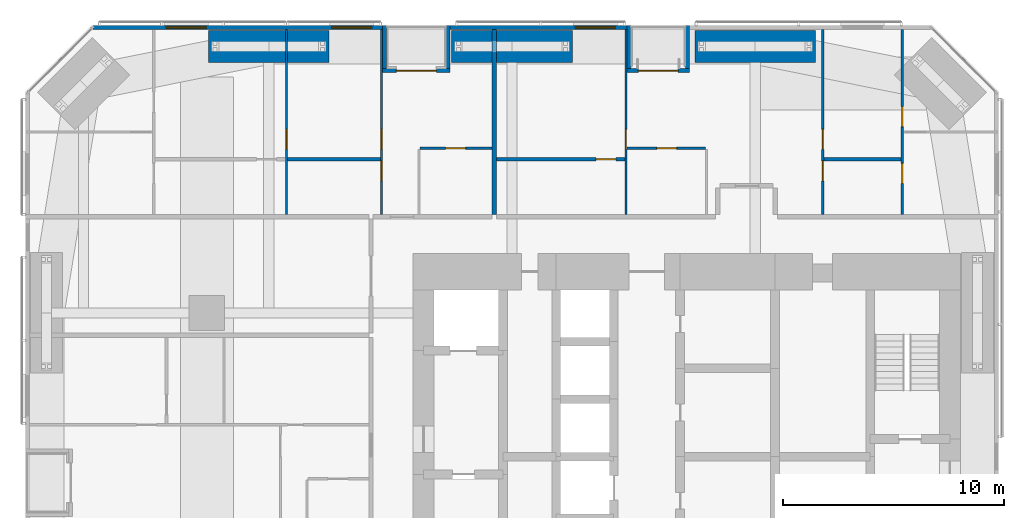
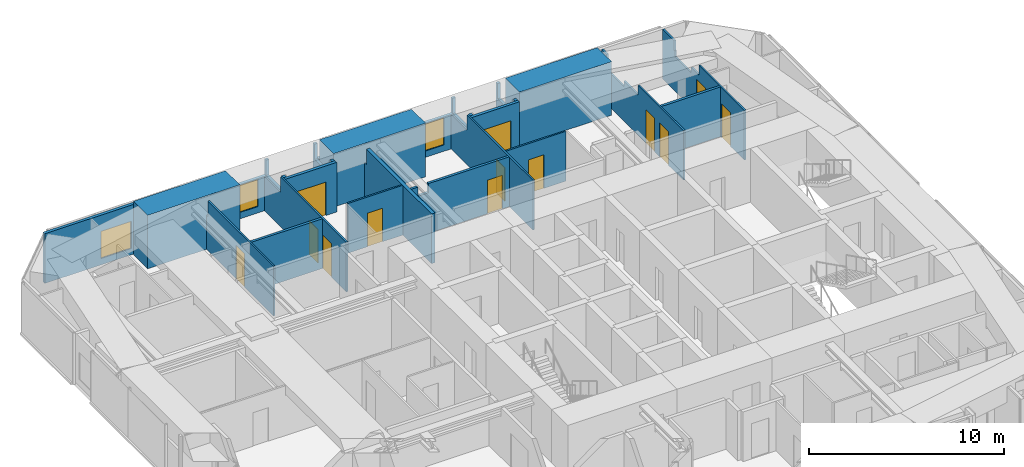
# One storey, part 21 of 23: 22 walls, 13 doors, 3 windows, 16 openings.
"""IFC4 building model written with IfcOpenShell, lengths in metres."""

import ifcopenshell
import ifcopenshell.guid

model = None  # the IFC model being written
_history = None  # IfcOwnerHistory: only IFC2X3 demands one
_inside = {}  # id of a spatial element -> (the spatial element, [elements in it])
_under = {}  # id of a project, library or spatial element -> (it, [spatial elements below it])
_declared = {}  # id of a project -> (the project, [libraries it declares])
_typed = {}  # id of a type object -> (the type object, [elements of that type])
_made_of = {}  # id of a material, layer set ... -> (it, [elements and type objects made of it])


def new_model(schema):
    """Start an empty IFC model of exactly this schema.

    Asked for "IFC4X3", IfcOpenShell would pick the latest addendum, in which some entities
    have other attributes; the version numbers below select the first issue.
    IFC2X3 requires an IfcOwnerHistory on every rooted entity: one is made here for all.
    """
    global model, _history
    if schema == "IFC4X3":
        model = ifcopenshell.file(schema_version=(4, 3, 0, 0))
    else:
        model = ifcopenshell.file(schema=schema)
    _inside.clear()
    _under.clear()
    _declared.clear()
    _typed.clear()
    _made_of.clear()
    _history = None
    if model.schema == "IFC2X3":
        org = make("IfcOrganization", Name="unknown")
        user = make(
            "IfcPersonAndOrganization",
            ThePerson=make("IfcPerson", FamilyName="unknown"),
            TheOrganization=org,
        )
        app = make(
            "IfcApplication",
            ApplicationDeveloper=org,
            Version="unknown",
            ApplicationFullName="unknown",
            ApplicationIdentifier="unknown",
        )
        _history = make(
            "IfcOwnerHistory",
            OwningUser=user,
            OwningApplication=app,
            ChangeAction="ADDED",
            CreationDate=0,
        )
    return model


def make(cls, **values):
    """One entity of the class cls with the attributes given. An attribute that is None is left unset."""
    return model.create_entity(
        cls, **{name: value for name, value in values.items() if value is not None}
    )


def rooted(cls, **values):
    """An entity with a GlobalId (a new one), such as an element, a storey or a relation."""
    return make(cls, GlobalId=ifcopenshell.guid.new(), OwnerHistory=_history, **values)


def si_unit(unit_type, name, prefix=None):
    """IfcSIUnit, for example si_unit("LENGTHUNIT", "METRE", prefix="MILLI")."""
    return make("IfcSIUnit", UnitType=unit_type, Prefix=prefix, Name=name)


def assignment(units):
    """IfcUnitAssignment: the units of a project."""
    return None if units is None else make("IfcUnitAssignment", Units=units)


def point(xyz):
    """IfcCartesianPoint."""
    return None if xyz is None else make("IfcCartesianPoint", Coordinates=xyz)


def direction(xyz):
    """IfcDirection."""
    return None if xyz is None else make("IfcDirection", DirectionRatios=xyz)


def frame(location, z_axis=None, x_axis=None):
    """IfcAxis2Placement3D, a coordinate frame: its origin and axes. An axis left out is left unset."""
    return make(
        "IfcAxis2Placement3D",
        Location=point(location),
        Axis=direction(z_axis),
        RefDirection=direction(x_axis),
    )


def frame_2d(location, x_axis=None):
    """IfcAxis2Placement2D, a coordinate frame in the plane: its origin and x axis."""
    return make(
        "IfcAxis2Placement2D", Location=point(location), RefDirection=direction(x_axis)
    )


def origin():
    """The frame at (0, 0, 0) with its axes left unset."""
    return frame((0.0, 0.0, 0.0))


def place(relative_to, where):
    """IfcLocalPlacement: puts the frame where relative to a parent placement (None: the world)."""
    return make(
        "IfcLocalPlacement", PlacementRelTo=relative_to, RelativePlacement=where
    )


def context(
    kind, dimensions, precision=None, world=None, true_north=None, identifier=None
):
    """IfcGeometricRepresentationContext, for example the 3D "Model" context."""
    return make(
        "IfcGeometricRepresentationContext",
        ContextIdentifier=identifier,
        ContextType=kind,
        CoordinateSpaceDimension=dimensions,
        Precision=precision,
        WorldCoordinateSystem=world,
        TrueNorth=true_north,
    )


def subcontext(parent, identifier, kind, view, scale=None):
    """IfcGeometricRepresentationSubContext, for example "Body" below "Model"."""
    return make(
        "IfcGeometricRepresentationSubContext",
        ContextIdentifier=identifier,
        ContextType=kind,
        ParentContext=parent,
        TargetScale=scale,
        TargetView=view,
    )


def project(units=None, contexts=None):
    """IfcProject with its units and contexts."""
    return rooted(
        "IfcProject",
        Name="project",
        RepresentationContexts=contexts,
        UnitsInContext=assignment(units),
    )


def spatial(cls, under=None, at=None, **own):
    """A site, building, storey or space (cls), placed at a placement, below another one or the project."""
    s = rooted(cls, ObjectPlacement=at, **own)
    if under is not None:
        _under.setdefault(under.id(), (under, []))[1].append(s)
    return s


def polyline(points):
    """IfcPolyline through the points."""
    return make("IfcPolyline", Points=[point(p) for p in points])


def profile(cls, at=None, kind="AREA", **sizes):
    """A parametric profile (cls). Its sizes go by their IFC names, for example OverallWidth=200.0."""
    return make(cls, ProfileType=kind, Position=at, **sizes)


def rectangle(**sizes):
    """IfcRectangleProfileDef."""
    return profile("IfcRectangleProfileDef", **sizes)


def outline(outer, holes=None, kind="AREA"):
    """IfcArbitraryClosedProfileDef: a profile drawn as a closed curve; with holes, ...WithVoids."""
    if holes is None:
        return make("IfcArbitraryClosedProfileDef", ProfileType=kind, OuterCurve=outer)
    return make(
        "IfcArbitraryProfileDefWithVoids",
        ProfileType=kind,
        OuterCurve=outer,
        InnerCurves=holes,
    )


def extrude(swept, where, along, depth):
    """IfcExtrudedAreaSolid: the profile swept, set in the frame where, extruded along a direction by depth."""
    return make(
        "IfcExtrudedAreaSolid",
        SweptArea=swept,
        Position=where,
        ExtrudedDirection=direction(along),
        Depth=depth,
    )


def shape(context_of_items, identifier, shape_type, items):
    """IfcShapeRepresentation: the items that make up one representation, for example the "Body"."""
    return make(
        "IfcShapeRepresentation",
        ContextOfItems=context_of_items,
        RepresentationIdentifier=identifier,
        RepresentationType=shape_type,
        Items=items,
    )


def material(Name=None, Category=None):
    """IfcMaterial."""
    return make("IfcMaterial", Name=Name, Category=Category)


def layer(
    of_material, thickness, ventilated=None, Name=None, Category=None, Priority=None
):
    """IfcMaterialLayer: one layer of a wall or slab, of a material (None: an air gap)."""
    return make(
        "IfcMaterialLayer",
        Material=of_material,
        LayerThickness=thickness,
        IsVentilated=ventilated,
        Name=Name,
        Category=Category,
        Priority=Priority,
    )


def layer_set(layers, Name=None):
    """IfcMaterialLayerSet."""
    return make("IfcMaterialLayerSet", MaterialLayers=layers, LayerSetName=Name)


def constituent(of_material, Name=None, Category=None, fraction=None):
    """IfcMaterialConstituent: one of the materials an element consists of."""
    return make(
        "IfcMaterialConstituent",
        Name=Name,
        Material=of_material,
        Fraction=fraction,
        Category=Category,
    )


def constituent_set(constituents=None, Name=None):
    """IfcMaterialConstituentSet."""
    return make(
        "IfcMaterialConstituentSet", Name=Name, MaterialConstituents=constituents
    )


def made_of(thing, what):
    """Note that an element or type object is made of a material, layer set ...; save() writes the relation."""
    if what is not None:
        _made_of.setdefault(what.id(), (what, []))[1].append(thing)
    return thing


def type_object(cls, material=None, **own):
    """A type object (cls), such as IfcWallType, which elements share."""
    return made_of(rooted(cls, **own), material)


def element(
    cls,
    number,
    at=None,
    inside=None,
    cuts=None,
    type_object=None,
    material=None,
    context=None,
    identifier="Body",
    shape_type=None,
    held_by="IfcProductDefinitionShape",
    body=None,
    shapes=None,
    **own,
):
    """One element of the class cls, such as IfcWall. Its Tag is "e" and its number.

    at: its placement. inside: the storey or other place that contains it. cuts: it is an
    opening in that element (IfcRelVoidsElement). A single representation is given by context,
    identifier, shape_type and body (its items); several are given by shapes. held_by: the class
    of the entity that holds the representations. save() writes the other relations.
    """
    e = rooted(cls, Tag="e%d" % number, ObjectPlacement=at, **own)
    if body is not None:
        shapes = [shape(context, identifier, shape_type, body)]
    if shapes is not None:
        e.Representation = make(held_by, Representations=shapes)
    if inside is not None:
        _inside.setdefault(inside.id(), (inside, []))[1].append(e)
    if cuts is not None:
        rooted(
            "IfcRelVoidsElement", RelatingBuildingElement=cuts, RelatedOpeningElement=e
        )
    if type_object is not None:
        _typed.setdefault(type_object.id(), (type_object, []))[1].append(e)
    return made_of(e, material)


def fill(opening, filler):
    """IfcRelFillsElement: the door or window that sits in an opening."""
    return rooted(
        "IfcRelFillsElement",
        RelatingOpeningElement=opening,
        RelatedBuildingElement=filler,
    )


def aggregate(whole, parts):
    """IfcRelAggregates: a whole, such as a stair, and the parts it consists of."""
    return rooted("IfcRelAggregates", RelatingObject=whole, RelatedObjects=parts)


def save(model, path):
    """Write the relations noted so far, then the file.

    IfcRelAggregates (storeys below a building ...), IfcRelContainedInSpatialStructure (elements
    in a storey), IfcRelDefinesByType, IfcRelAssociatesMaterial and IfcRelDeclares: one each for
    every whole, place, type object, material and project.
    """
    for whole, parts in _under.values():
        aggregate(whole, parts)
    for where, things in _inside.values():
        rooted(
            "IfcRelContainedInSpatialStructure",
            RelatedElements=things,
            RelatingStructure=where,
        )
    for kind, things in _typed.values():
        rooted("IfcRelDefinesByType", RelatedObjects=things, RelatingType=kind)
    for what, things in _made_of.values():
        rooted("IfcRelAssociatesMaterial", RelatedObjects=things, RelatingMaterial=what)
    for by, libraries in _declared.values():
        rooted("IfcRelDeclares", RelatingContext=by, RelatedDefinitions=libraries)
    model.write(path)


model = new_model("IFC4")

# Units and contexts
model_context = context("Model", 3, precision=1e-05, world=origin(), true_north=direction((0.0, 1.0)))
body_context = subcontext(model_context, "Body", "Model", "MODEL_VIEW")
ifc_project = project(units=[si_unit("LENGTHUNIT", "METRE"), si_unit("AREAUNIT", "SQUARE_METRE"), si_unit("VOLUMEUNIT", "CUBIC_METRE"), si_unit("PLANEANGLEUNIT", "RADIAN"), si_unit("MASSUNIT", "GRAM", prefix="KILO")], contexts=[model_context])

# Site, building, storey
site_placement = place(None, origin())
site = spatial("IfcSite", under=ifc_project, at=site_placement, CompositionType="ELEMENT")
building_placement = place(site_placement, origin())
building = spatial("IfcBuilding", under=site, at=building_placement, Name="Jalousie Tower", CompositionType="ELEMENT")
storey_placement = place(building_placement, frame((0.0, 0.0, 41.10009765625)))
storey = spatial("IfcBuildingStorey", under=building, at=storey_placement, Name="L10", CompositionType="ELEMENT", Elevation=41.10009765625)

# Wall
ifc_material_1 = material(Name="Concrete block ASTM C90", Category="concrete")
ifc_constituent_1 = constituent(ifc_material_1, Name="Body")
ifc_material_2 = material(Name="Render")
ifc_constituent_2 = constituent(ifc_material_2, Name="Finish")
ifc_constituent_set_1 = constituent_set(constituents=[ifc_constituent_1, ifc_constituent_2])
wall_type_1 = type_object("IfcWallType", Name="BATHROOM WALL 150", PredefinedType="PLUMBINGWALL", material=ifc_constituent_set_1)
wall_1_placement = place(storey_placement, frame((13.85009765625, 31.949951171875, 0.0), z_axis=(0.0, 0.0, 1.0), x_axis=(1.0, 0.0, 0.0)))
element("IfcWall", 1, at=wall_1_placement, inside=storey, type_object=wall_type_1, Name="Bathroom Wall 150 L10", PredefinedType="PLUMBINGWALL", context=body_context, shape_type="SweptSolid", body=[
    extrude(rectangle(XDim=4.199951171875, YDim=0.14990234375, at=frame_2d((2.10009765625, 0.0))), origin(), (0.0, 0.0, 1.0), 3.10986328125),
])

# Wall, opening, door
wall_2_placement = place(storey_placement, frame((23.300048828125, 31.949951171875, 0.0), z_axis=(0.0, 0.0, 1.0), x_axis=(1.0, 0.0, 0.0)))
wall_2 = element("IfcWall", 2, at=wall_2_placement, inside=storey, type_object=wall_type_1, Name="Bathroom Wall 150 L10", PredefinedType="PLUMBINGWALL", context=body_context, shape_type="SweptSolid", body=[
    extrude(outline(polyline([(0.0, 0.0), (5.800048828125, 0.0), (5.800048828125, 3.10986328125), (1.012451171875, 3.10986328125), (1.012451171875, 2.541015625), (0.3876953125, 2.541015625), (0.3876953125, 3.10986328125), (0.0, 3.10986328125), (0.0, 0.0)])), frame((0.0, 0.074951171875, 0.0), z_axis=(0.0, -1.0, 0.0), x_axis=(1.0, 0.0, 0.0)), (0.0, 0.0, 1.0), 0.14990234375),
])
opening_1_placement = place(wall_2_placement, frame((4.5, 0.0, 0.0)))
opening_1 = element("IfcOpeningElement", 3, at=opening_1_placement, cuts=wall_2, Name="Opening D3", PredefinedType="OPENING", context=body_context, shape_type="SweptSolid", body=[
    extrude(rectangle(XDim=0.89990234375, YDim=2.10009765625, at=frame_2d((0.449951171875, 1.050048828125))), frame((0.0, 0.0849609375, 0.0), z_axis=(0.0, -1.0, 0.0), x_axis=(1.0, 0.0, 0.0)), (0.0, 0.0, 1.0), 0.169921875),
])
ifc_material_3 = material(Name="Timber door", Category="wood")
door_type_1 = type_object("IfcDoorType", Name="BATHROOM DOOR 900", OperationType="SINGLE_SWING_LEFT", PredefinedType="DOOR", material=ifc_material_3)
door_1_placement = place(opening_1_placement, frame((0.89990234375, 0.0, 0.0), z_axis=(0.0, 0.0, 1.0), x_axis=(-1.0, 0.0, 0.0)))
door_1 = element("IfcDoor", 4, at=door_1_placement, inside=storey, type_object=door_type_1, Name="Apartment 1005 bedroom 1 bathroom door", OperationType="SINGLE_SWING_LEFT", OverallHeight=2.10009765625, OverallWidth=0.89990234375, PredefinedType="DOOR", context=body_context, shape_type="SweptSolid", body=[
    extrude(rectangle(XDim=0.89990234375, YDim=2.10009765625, at=frame_2d((0.449951171875, 1.050048828125))), frame((0.0, 0.02490234375, 0.0), z_axis=(0.0, -1.0, 0.0), x_axis=(1.0, 0.0, 0.0)), (0.0, 0.0, 1.0), 0.050048828125),
])
fill(opening_1, door_1)

# Wall
wall_3_placement = place(storey_placement, frame((38.10009765625, 31.949951171875, 0.0), z_axis=(0.0, 0.0, 1.0), x_axis=(1.0, 0.0, 0.0)))
element("IfcWall", 5, at=wall_3_placement, inside=storey, type_object=wall_type_1, Name="Bathroom Wall 150 L10", PredefinedType="PLUMBINGWALL", context=body_context, shape_type="SweptSolid", body=[
    extrude(rectangle(XDim=3.5, YDim=0.14990234375, at=frame_2d((1.75, 0.0))), origin(), (0.0, 0.0, 1.0), 3.10986328125),
])

# Wall, opening, window
ifc_material_4 = material(Name="Concrete f'c 40 MPa", Category="concrete")
ifc_constituent_3 = constituent(ifc_material_4, Name="Body")
ifc_material_5 = material(Name="Render, pastel coral")
ifc_constituent_4 = constituent(ifc_material_5, Name="Finish")
ifc_constituent_set_2 = constituent_set(constituents=[ifc_constituent_3, ifc_constituent_4])
wall_type_2 = type_object("IfcWallType", Name="EXTERNAL WALL 175 CORAL RENDER", PredefinedType="SOLIDWALL", material=ifc_constituent_set_2)
wall_4_placement = place(storey_placement, frame((29.199951171875, 37.91259765625, 0.0), z_axis=(0.0, 0.0, 1.0), x_axis=(-1.0, 0.0, 0.0)))
wall_4 = element("IfcWall", 6, at=wall_4_placement, inside=storey, type_object=wall_type_2, Name="External Wall 175 Coral Render L10", PredefinedType="SOLIDWALL", context=body_context, shape_type="SweptSolid", body=[
    extrude(rectangle(XDim=8.0, YDim=0.175048828125, at=frame_2d((4.0, 0.0))), origin(), (0.0, 0.0, 1.0), 2.14990234375),
])
opening_2_placement = place(wall_4_placement, frame((0.53369140625, 0.0, 0.39990234375)))
opening_2 = element("IfcOpeningElement", 7, at=opening_2_placement, cuts=wall_4, Name="Opening W-BED170", PredefinedType="OPENING", context=body_context, shape_type="SweptSolid", body=[
    extrude(rectangle(XDim=1.800048828125, YDim=1.699951171875, at=frame_2d((0.89990234375, 0.85009765625))), frame((0.0, 0.097412109375, 0.0), z_axis=(0.0, -1.0, 0.0), x_axis=(1.0, 0.0, 0.0)), (0.0, 0.0, 1.0), 0.195068359375),
])
ifc_material_6 = material(Name="Aluminium frame, impact-rated glazing", Category="aluminium")
window_type = type_object("IfcWindowType", Name="WINDOW BED 1800x1700", PartitioningType="SINGLE_PANEL", PredefinedType="WINDOW", material=ifc_material_6)
window_1_placement = place(opening_2_placement, origin())
window_1 = element("IfcWindow", 8, at=window_1_placement, inside=storey, type_object=window_type, Name="Apartment 1005 bedroom 1 window", OverallHeight=1.699951171875, OverallWidth=1.800048828125, PartitioningType="SINGLE_PANEL", PredefinedType="WINDOW", context=body_context, shape_type="SweptSolid", body=[
    extrude(rectangle(XDim=1.800048828125, YDim=1.699951171875, at=frame_2d((0.89990234375, 0.85009765625))), frame((0.0, 0.030029296875, 0.0), z_axis=(0.0, -1.0, 0.0), x_axis=(1.0, 0.0, 0.0)), (0.0, 0.0, 1.0), 0.06005859375),
])
fill(opening_2, window_1)

# Wall, openings, windows
wall_5_placement = place(storey_placement, frame((18.14990234375, 37.91259765625, 0.0), z_axis=(0.0, 0.0, 1.0), x_axis=(-1.0, 0.0, 0.0)))
wall_5 = element("IfcWall", 9, at=wall_5_placement, inside=storey, type_object=wall_type_2, Name="External Wall 175 Coral Render L10", PredefinedType="SOLIDWALL", context=body_context, shape_type="SweptSolid", body=[
    extrude(outline(polyline([(0.0, 0.0), (13.0986328125, 0.0), (13.0986328125, 3.10986328125), (5.35400390625, 3.10986328125), (5.35400390625, 2.14990234375), (5.3056640625, 2.14990234375), (5.3056640625, 3.10986328125), (5.14990234375, 3.10986328125), (5.14990234375, 2.14990234375), (0.0, 2.14990234375), (0.0, 0.0)])), frame((0.0, 0.08740234375, 0.0), z_axis=(0.0, -1.0, 0.0), x_axis=(1.0, 0.0, 0.0)), (0.0, 0.0, 1.0), 0.175048828125),
])
opening_3_placement = place(wall_5_placement, frame((0.492431640625, 0.0, 0.39990234375)))
opening_3 = element("IfcOpeningElement", 10, at=opening_3_placement, cuts=wall_5, Name="Opening W-BED170", PredefinedType="OPENING", context=body_context, shape_type="SweptSolid", body=[
    extrude(rectangle(XDim=1.800048828125, YDim=1.699951171875, at=frame_2d((0.89990234375, 0.85009765625))), frame((0.0, 0.097412109375, 0.0), z_axis=(0.0, -1.0, 0.0), x_axis=(1.0, 0.0, 0.0)), (0.0, 0.0, 1.0), 0.195068359375),
])
opening_4_placement = place(wall_5_placement, frame((7.97998046875, 0.0, 0.39990234375)))
opening_4 = element("IfcOpeningElement", 11, at=opening_4_placement, cuts=wall_5, Name="Opening W-BED170", PredefinedType="OPENING", context=body_context, shape_type="SweptSolid", body=[
    extrude(rectangle(XDim=1.800048828125, YDim=1.699951171875, at=frame_2d((0.89990234375, 0.85009765625))), frame((0.0, 0.097412109375, 0.0), z_axis=(0.0, -1.0, 0.0), x_axis=(1.0, 0.0, 0.0)), (0.0, 0.0, 1.0), 0.195068359375),
])
window_2_placement = place(opening_3_placement, origin())
window_2 = element("IfcWindow", 12, at=window_2_placement, inside=storey, type_object=window_type, Name="Apartment 1004 bedroom 3 window", OverallHeight=1.699951171875, OverallWidth=1.800048828125, PartitioningType="SINGLE_PANEL", PredefinedType="WINDOW", context=body_context, shape_type="SweptSolid", body=[
    extrude(rectangle(XDim=1.800048828125, YDim=1.699951171875, at=frame_2d((0.89990234375, 0.85009765625))), frame((0.0, 0.030029296875, 0.0), z_axis=(0.0, -1.0, 0.0), x_axis=(1.0, 0.0, 0.0)), (0.0, 0.0, 1.0), 0.06005859375),
])
fill(opening_3, window_2)
window_3_placement = place(opening_4_placement, origin())
window_3 = element("IfcWindow", 13, at=window_3_placement, inside=storey, type_object=window_type, Name="Apartment 1004 bedroom 2 window", OverallHeight=1.699951171875, OverallWidth=1.800048828125, PartitioningType="SINGLE_PANEL", PredefinedType="WINDOW", context=body_context, shape_type="SweptSolid", body=[
    extrude(rectangle(XDim=1.800048828125, YDim=1.699951171875, at=frame_2d((0.89990234375, 0.85009765625))), frame((0.0, 0.030029296875, 0.0), z_axis=(0.0, -1.0, 0.0), x_axis=(1.0, 0.0, 0.0)), (0.0, 0.0, 1.0), 0.06005859375),
])
fill(opening_4, window_3)

# Wall, opening, door
wall_6_placement = place(storey_placement, frame((32.02490234375, 35.96240234375, 0.0), z_axis=(0.0, 0.0, 1.0), x_axis=(-1.0, 0.0, 0.0)))
wall_6 = element("IfcWall", 14, at=wall_6_placement, inside=storey, type_object=wall_type_2, Name="External Wall 175 Coral Render L10", PredefinedType="SOLIDWALL", context=body_context, shape_type="SweptSolid", body=[
    extrude(rectangle(XDim=2.824951171875, YDim=0.175048828125, at=frame_2d((1.41259765625, 0.0))), origin(), (0.0, 0.0, 1.0), 3.10986328125),
])
opening_5_placement = place(wall_6_placement, frame((0.512451171875, 0.0, 0.0)))
opening_5 = element("IfcOpeningElement", 15, at=opening_5_placement, cuts=wall_6, Name="Opening D-BAL21", PredefinedType="OPENING", context=body_context, shape_type="SweptSolid", body=[
    extrude(rectangle(XDim=1.800048828125, YDim=2.10009765625, at=frame_2d((0.89990234375, 1.050048828125))), frame((0.0, 0.097412109375, 0.0), z_axis=(0.0, -1.0, 0.0), x_axis=(1.0, 0.0, 0.0)), (0.0, 0.0, 1.0), 0.195068359375),
])
ifc_material_7 = material(Name="Aluminium frame, impact-rated glazing", Category="aluminium")
door_type_2 = type_object("IfcDoorType", Name="BALCONY DOOR 1800x2100", OperationType="SLIDING_TO_LEFT", PredefinedType="DOOR", material=ifc_material_7)
door_2_placement = place(opening_5_placement, origin())
door_2 = element("IfcDoor", 16, at=door_2_placement, inside=storey, type_object=door_type_2, Name="Apartment 1005 living and dining room loggia door", OperationType="SLIDING_TO_LEFT", OverallHeight=2.10009765625, OverallWidth=1.800048828125, PredefinedType="DOOR", context=body_context, shape_type="SweptSolid", body=[
    extrude(rectangle(XDim=1.800048828125, YDim=2.10009765625, at=frame_2d((0.89990234375, 1.050048828125))), frame((0.0, 0.02490234375, 0.0), z_axis=(0.0, -1.0, 0.0), x_axis=(1.0, 0.0, 0.0)), (0.0, 0.0, 1.0), 0.050048828125),
])
fill(opening_5, door_2)

# Walls
for number, where, z_axis, x_axis, name in (
    (17, (31.9375, 38.0, 0.0), (0.0, 0.0, 1.0), (0.0, -1.0, 0.0), "External Wall 175 Coral Render L10"),
    (18, (29.28759765625, 38.0, 0.0), (0.0, 0.0, 1.0), (0.0, -1.0, 0.0), "External Wall 175 Coral Render L10"),
):
    element("IfcWall", number, at=place(storey_placement, frame(where, z_axis=z_axis, x_axis=x_axis)), inside=storey, type_object=wall_type_2, Name=name, PredefinedType="SOLIDWALL", context=body_context, shape_type="SweptSolid", body=[
        extrude(outline(polyline([(0.0, 0.0), (1.949951171875, 0.0), (1.949951171875, 3.10986328125), (1.75, 3.10986328125), (1.75, 2.14990234375), (0.14990234375, 2.14990234375), (0.14990234375, 3.10986328125), (0.0, 3.10986328125), (0.0, 0.0)])), frame((0.0, 0.08740234375, 0.0), z_axis=(0.0, -1.0, 0.0), x_axis=(1.0, 0.0, 0.0)), (0.0, 0.0, 1.0), 0.175048828125),
    ])

# Wall, opening, door
wall_7_placement = place(storey_placement, frame((21.199951171875, 35.96240234375, 0.0), z_axis=(0.0, 0.0, 1.0), x_axis=(-1.0, 0.0, 0.0)))
wall_7 = element("IfcWall", 19, at=wall_7_placement, inside=storey, type_object=wall_type_2, Name="External Wall 175 Coral Render L10", PredefinedType="SOLIDWALL", context=body_context, shape_type="SweptSolid", body=[
    extrude(rectangle(XDim=3.050048828125, YDim=0.175048828125, at=frame_2d((1.52490234375, 0.0))), origin(), (0.0, 0.0, 1.0), 3.10986328125),
])
opening_6_placement = place(wall_7_placement, frame((0.625, 0.0, 0.0)))
opening_6 = element("IfcOpeningElement", 20, at=opening_6_placement, cuts=wall_7, Name="Opening D-BAL21", PredefinedType="OPENING", context=body_context, shape_type="SweptSolid", body=[
    extrude(rectangle(XDim=1.800048828125, YDim=2.10009765625, at=frame_2d((0.89990234375, 1.050048828125))), frame((0.0, 0.097412109375, 0.0), z_axis=(0.0, -1.0, 0.0), x_axis=(1.0, 0.0, 0.0)), (0.0, 0.0, 1.0), 0.195068359375),
])
door_3_placement = place(opening_6_placement, origin())
door_3 = element("IfcDoor", 21, at=door_3_placement, inside=storey, type_object=door_type_2, Name="Apartment 1004 living and dining room loggia door", OperationType="SLIDING_TO_LEFT", OverallHeight=2.10009765625, OverallWidth=1.800048828125, PredefinedType="DOOR", context=body_context, shape_type="SweptSolid", body=[
    extrude(rectangle(XDim=1.800048828125, YDim=2.10009765625, at=frame_2d((0.89990234375, 1.050048828125))), frame((0.0, 0.02490234375, 0.0), z_axis=(0.0, -1.0, 0.0), x_axis=(1.0, 0.0, 0.0)), (0.0, 0.0, 1.0), 0.050048828125),
])
fill(opening_6, door_3)

# Walls
for number, where, z_axis, x_axis, name in (
    (22, (21.112548828125, 38.0, 0.0), (0.0, 0.0, 1.0), (0.0, -1.0, 0.0), "External Wall 175 Coral Render L10"),
    (23, (18.237548828125, 38.0, 0.0), (0.0, 0.0, 1.0), (0.0, -1.0, 0.0), "External Wall 175 Coral Render L10"),
):
    element("IfcWall", number, at=place(storey_placement, frame(where, z_axis=z_axis, x_axis=x_axis)), inside=storey, type_object=wall_type_2, Name=name, PredefinedType="SOLIDWALL", context=body_context, shape_type="SweptSolid", body=[
        extrude(outline(polyline([(0.0, 0.0), (1.949951171875, 0.0), (1.949951171875, 3.10986328125), (1.75, 3.10986328125), (1.75, 2.14990234375), (0.14990234375, 2.14990234375), (0.14990234375, 3.10986328125), (0.0, 3.10986328125), (0.0, 0.0)])), frame((0.0, 0.08740234375, 0.0), z_axis=(0.0, -1.0, 0.0), x_axis=(1.0, 0.0, 0.0)), (0.0, 0.0, 1.0), 0.175048828125),
    ])

# Wall, opening, door
ifc_material_8 = material(Name="Gypsum board", Category="gypsum")
ifc_constituent_5 = constituent(ifc_material_8, Name="Body")
ifc_material_9 = material(Name="Light-gauge steel studs ASTM A653 SS Grade 33", Category="steel")
ifc_constituent_6 = constituent(ifc_material_9, Name="Framing")
ifc_constituent_set_3 = constituent_set(constituents=[ifc_constituent_5, ifc_constituent_6])
wall_type_3 = type_object("IfcWallType", Name="PARTITION 100", PredefinedType="PARTITIONING", material=ifc_constituent_set_3)
wall_8_placement = place(storey_placement, frame((13.800048828125, 37.824951171875, 0.0), z_axis=(0.0, 0.0, 1.0), x_axis=(0.0, -1.0, 0.0)))
wall_8 = element("IfcWall", 24, at=wall_8_placement, inside=storey, type_object=wall_type_3, Name="Partition 100 L10", PredefinedType="PARTITIONING", context=body_context, shape_type="SweptSolid", body=[
    extrude(outline(polyline([(1.635009765625, 2.14990234375), (0.0, 2.14990234375), (0.0, 0.0), (8.375, 0.0), (8.375, 3.10986328125), (1.635009765625, 3.10986328125), (1.635009765625, 2.14990234375)]), holes=[polyline([(1.021240234375, 0.1259765625), (0.52880859375, 0.1259765625), (0.52880859375, 0.918701171875), (1.021240234375, 0.918701171875), (1.021240234375, 0.1259765625)]), polyline([(1.021240234375, 1.23095703125), (0.52880859375, 1.23095703125), (0.52880859375, 2.02392578125), (1.021240234375, 2.02392578125), (1.021240234375, 1.23095703125)])]), frame((0.0, 0.050048828125, 0.0), z_axis=(0.0, -1.0, 0.0), x_axis=(1.0, 0.0, 0.0)), (0.0, 0.0, 1.0), 0.10009765625),
])
opening_7_placement = place(wall_8_placement, frame((4.52490234375, 0.0, 0.0)))
opening_7 = element("IfcOpeningElement", 25, at=opening_7_placement, cuts=wall_8, Name="Opening D2", PredefinedType="OPENING", context=body_context, shape_type="SweptSolid", body=[
    extrude(rectangle(XDim=0.89990234375, YDim=2.10009765625, at=frame_2d((0.449951171875, 1.050048828125))), frame((0.0, 0.06005859375, 0.0), z_axis=(0.0, -1.0, 0.0), x_axis=(1.0, 0.0, 0.0)), (0.0, 0.0, 1.0), 0.1201171875),
])
ifc_material_10 = material(Name="Timber door", Category="wood")
door_type_3 = type_object("IfcDoorType", Name="BEDROOM DOOR 900", OperationType="SINGLE_SWING_LEFT", PredefinedType="DOOR", material=ifc_material_10)
door_4_placement = place(opening_7_placement, frame((0.89990234375, 0.0, 0.0), z_axis=(0.0, 0.0, 1.0), x_axis=(-1.0, 0.0, 0.0)))
door_4 = element("IfcDoor", 26, at=door_4_placement, inside=storey, type_object=door_type_3, Name="Apartment 1004 bedroom 2 door", OperationType="SINGLE_SWING_LEFT", OverallHeight=2.10009765625, OverallWidth=0.89990234375, PredefinedType="DOOR", context=body_context, shape_type="SweptSolid", body=[
    extrude(rectangle(XDim=0.89990234375, YDim=2.10009765625, at=frame_2d((0.449951171875, 1.050048828125))), frame((0.0, 0.02490234375, 0.0), z_axis=(0.0, -1.0, 0.0), x_axis=(1.0, 0.0, 0.0)), (0.0, 0.0, 1.0), 0.050048828125),
])
fill(opening_7, door_4)

# Wall, openings, doors
wall_9_placement = place(storey_placement, frame((18.10009765625, 37.824951171875, 0.0), z_axis=(0.0, 0.0, 1.0), x_axis=(0.0, -1.0, 0.0)))
wall_9 = element("IfcWall", 27, at=wall_9_placement, inside=storey, type_object=wall_type_3, Name="Partition 100 L10", PredefinedType="PARTITIONING", context=body_context, shape_type="SweptSolid", body=[
    extrude(outline(polyline([(0.0, 0.0), (8.375, 0.0), (8.375, 3.10986328125), (1.635009765625, 3.10986328125), (1.635009765625, 2.14990234375), (0.0, 2.14990234375), (0.0, 3.10986328125), (0.0, 0.0)])), frame((0.0, 0.050048828125, 0.0), z_axis=(0.0, -1.0, 0.0), x_axis=(1.0, 0.0, 0.0)), (0.0, 0.0, 1.0), 0.10009765625),
])
opening_8_placement = place(wall_9_placement, frame((4.52490234375, 0.0, 0.0)))
opening_8 = element("IfcOpeningElement", 28, at=opening_8_placement, cuts=wall_9, Name="Opening D2", PredefinedType="OPENING", context=body_context, shape_type="SweptSolid", body=[
    extrude(rectangle(XDim=0.89990234375, YDim=2.10009765625, at=frame_2d((0.449951171875, 1.050048828125))), frame((0.0, 0.06005859375, 0.0), z_axis=(0.0, -1.0, 0.0), x_axis=(1.0, 0.0, 0.0)), (0.0, 0.0, 1.0), 0.1201171875),
])
opening_9_placement = place(wall_9_placement, frame((5.949951171875, 0.0, 0.0)))
opening_9 = element("IfcOpeningElement", 29, at=opening_9_placement, cuts=wall_9, Name="Opening D7", PredefinedType="OPENING", context=body_context, shape_type="SweptSolid", body=[
    extrude(rectangle(XDim=0.89990234375, YDim=2.10009765625, at=frame_2d((0.449951171875, 1.050048828125))), frame((0.0, 0.06005859375, 0.0), z_axis=(0.0, -1.0, 0.0), x_axis=(1.0, 0.0, 0.0)), (0.0, 0.0, 1.0), 0.1201171875),
])
door_5_placement = place(opening_8_placement, frame((0.89990234375, 0.0, 0.0), z_axis=(0.0, 0.0, 1.0), x_axis=(-1.0, 0.0, 0.0)))
door_5 = element("IfcDoor", 30, at=door_5_placement, inside=storey, type_object=door_type_3, Name="Apartment 1004 bedroom 3 door", OperationType="SINGLE_SWING_LEFT", OverallHeight=2.10009765625, OverallWidth=0.89990234375, PredefinedType="DOOR", context=body_context, shape_type="SweptSolid", body=[
    extrude(rectangle(XDim=0.89990234375, YDim=2.10009765625, at=frame_2d((0.449951171875, 1.050048828125))), frame((0.0, 0.02490234375, 0.0), z_axis=(0.0, -1.0, 0.0), x_axis=(1.0, 0.0, 0.0)), (0.0, 0.0, 1.0), 0.050048828125),
])
fill(opening_8, door_5)
ifc_material_11 = material(Name="Timber door", Category="wood")
door_type_4 = type_object("IfcDoorType", Name="INTERNAL DOOR 900", OperationType="SINGLE_SWING_LEFT", PredefinedType="DOOR", material=ifc_material_11)
door_6_placement = place(opening_9_placement, frame((0.89990234375, 0.0, 0.0), z_axis=(0.0, 0.0, 1.0), x_axis=(-1.0, 0.0, 0.0)))
door_6 = element("IfcDoor", 31, at=door_6_placement, inside=storey, type_object=door_type_4, Name="Apartment 1004 bathroom door", OperationType="SINGLE_SWING_RIGHT", OverallHeight=2.10009765625, OverallWidth=0.89990234375, PredefinedType="DOOR", context=body_context, shape_type="SweptSolid", body=[
    extrude(rectangle(XDim=0.89990234375, YDim=2.10009765625, at=frame_2d((0.449951171875, 1.050048828125))), frame((0.0, 0.02490234375, 0.0), z_axis=(0.0, -1.0, 0.0), x_axis=(1.0, 0.0, 0.0)), (0.0, 0.0, 1.0), 0.050048828125),
])
fill(opening_9, door_6)

# Wall, opening, door
wall_10_placement = place(storey_placement, frame((19.85009765625, 32.449951171875, 0.0), z_axis=(0.0, 0.0, 1.0), x_axis=(1.0, 0.0, 0.0)))
wall_10 = element("IfcWall", 32, at=wall_10_placement, inside=storey, type_object=wall_type_3, Name="Partition 100 L10", PredefinedType="PARTITIONING", context=body_context, shape_type="SweptSolid", body=[
    extrude(rectangle(XDim=3.25, YDim=0.10009765625, at=frame_2d((1.625, 0.0))), origin(), (0.0, 0.0, 1.0), 3.10986328125),
])
opening_10_placement = place(wall_10_placement, frame((1.14990234375, 0.0, 0.0)))
opening_10 = element("IfcOpeningElement", 33, at=opening_10_placement, cuts=wall_10, Name="Opening D7", PredefinedType="OPENING", context=body_context, shape_type="SweptSolid", body=[
    extrude(rectangle(XDim=0.89990234375, YDim=2.10009765625, at=frame_2d((0.449951171875, 1.050048828125))), frame((0.0, 0.06005859375, 0.0), z_axis=(0.0, -1.0, 0.0), x_axis=(1.0, 0.0, 0.0)), (0.0, 0.0, 1.0), 0.1201171875),
])
door_7_placement = place(opening_10_placement, origin())
door_7 = element("IfcDoor", 34, at=door_7_placement, inside=storey, type_object=door_type_4, Name="Apartment 1004 kitchen door", OperationType="SINGLE_SWING_RIGHT", OverallHeight=2.10009765625, OverallWidth=0.89990234375, PredefinedType="DOOR", context=body_context, shape_type="SweptSolid", body=[
    extrude(rectangle(XDim=0.89990234375, YDim=2.10009765625, at=frame_2d((0.449951171875, 1.050048828125))), frame((0.0, 0.02490234375, 0.0), z_axis=(0.0, -1.0, 0.0), x_axis=(1.0, 0.0, 0.0)), (0.0, 0.0, 1.0), 0.050048828125),
])
fill(opening_10, door_7)

wall_11_placement = place(storey_placement, frame((29.14990234375, 37.824951171875, 0.0), z_axis=(0.0, 0.0, 1.0), x_axis=(0.0, -1.0, 0.0)))
wall_11 = element("IfcWall", 35, at=wall_11_placement, inside=storey, type_object=wall_type_3, Name="Partition 100 L10", PredefinedType="PARTITIONING", context=body_context, shape_type="SweptSolid", body=[
    extrude(outline(polyline([(0.0, 0.0), (8.375, 0.0), (8.375, 3.10986328125), (1.635009765625, 3.10986328125), (1.635009765625, 2.14990234375), (0.0, 2.14990234375), (0.0, 3.10986328125), (0.0, 0.0)])), frame((0.0, 0.050048828125, 0.0), z_axis=(0.0, -1.0, 0.0), x_axis=(1.0, 0.0, 0.0)), (0.0, 0.0, 1.0), 0.10009765625),
])
opening_11_placement = place(wall_11_placement, frame((4.52490234375, 0.0, 0.0)))
opening_11 = element("IfcOpeningElement", 36, at=opening_11_placement, cuts=wall_11, Name="Opening D2", PredefinedType="OPENING", context=body_context, shape_type="SweptSolid", body=[
    extrude(rectangle(XDim=0.89990234375, YDim=2.10009765625, at=frame_2d((0.449951171875, 1.050048828125))), frame((0.0, 0.06005859375, 0.0), z_axis=(0.0, -1.0, 0.0), x_axis=(1.0, 0.0, 0.0)), (0.0, 0.0, 1.0), 0.1201171875),
])
door_8_placement = place(opening_11_placement, frame((0.89990234375, 0.0, 0.0), z_axis=(0.0, 0.0, 1.0), x_axis=(-1.0, 0.0, 0.0)))
door_8 = element("IfcDoor", 37, at=door_8_placement, inside=storey, type_object=door_type_3, Name="Apartment 1005 bedroom 1 door", OperationType="SINGLE_SWING_LEFT", OverallHeight=2.10009765625, OverallWidth=0.89990234375, PredefinedType="DOOR", context=body_context, shape_type="SweptSolid", body=[
    extrude(rectangle(XDim=0.89990234375, YDim=2.10009765625, at=frame_2d((0.449951171875, 1.050048828125))), frame((0.0, 0.02490234375, 0.0), z_axis=(0.0, -1.0, 0.0), x_axis=(1.0, 0.0, 0.0)), (0.0, 0.0, 1.0), 0.050048828125),
])
fill(opening_11, door_8)

# Wall, openings, doors
wall_12_placement = place(storey_placement, frame((38.050048828125, 37.824951171875, 0.0), z_axis=(0.0, 0.0, 1.0), x_axis=(0.0, -1.0, 0.0)))
wall_12 = element("IfcWall", 38, at=wall_12_placement, inside=storey, type_object=wall_type_3, Name="Partition 100 L10", PredefinedType="PARTITIONING", context=body_context, shape_type="SweptSolid", body=[
    extrude(outline(polyline([(0.0, 0.0), (8.375, 0.0), (8.375, 3.10986328125), (3.71630859375, 3.10986328125), (3.71630859375, 2.510009765625), (2.264892578125, 2.510009765625), (2.264892578125, 2.14990234375), (0.510498046875, 2.14990234375), (0.510498046875, 3.10986328125), (0.0, 3.10986328125), (0.0, 0.0)])), frame((0.0, 0.050048828125, 0.0), z_axis=(0.0, -1.0, 0.0), x_axis=(1.0, 0.0, 0.0)), (0.0, 0.0, 1.0), 0.10009765625),
])
opening_12_placement = place(wall_12_placement, frame((4.52490234375, 0.0, 0.0)))
opening_12 = element("IfcOpeningElement", 39, at=opening_12_placement, cuts=wall_12, Name="Opening D2", PredefinedType="OPENING", context=body_context, shape_type="SweptSolid", body=[
    extrude(rectangle(XDim=0.89990234375, YDim=2.10009765625, at=frame_2d((0.449951171875, 1.050048828125))), frame((0.0, 0.06005859375, 0.0), z_axis=(0.0, -1.0, 0.0), x_axis=(1.0, 0.0, 0.0)), (0.0, 0.0, 1.0), 0.1201171875),
])
opening_13_placement = place(wall_12_placement, frame((5.949951171875, 0.0, 0.0)))
opening_13 = element("IfcOpeningElement", 40, at=opening_13_placement, cuts=wall_12, Name="Opening D7", PredefinedType="OPENING", context=body_context, shape_type="SweptSolid", body=[
    extrude(rectangle(XDim=0.89990234375, YDim=2.10009765625, at=frame_2d((0.449951171875, 1.050048828125))), frame((0.0, 0.06005859375, 0.0), z_axis=(0.0, -1.0, 0.0), x_axis=(1.0, 0.0, 0.0)), (0.0, 0.0, 1.0), 0.1201171875),
])
door_9_placement = place(opening_12_placement, origin())
door_9 = element("IfcDoor", 41, at=door_9_placement, inside=storey, type_object=door_type_3, Name="Apartment 1005 bedroom 2 door", OperationType="SINGLE_SWING_RIGHT", OverallHeight=2.10009765625, OverallWidth=0.89990234375, PredefinedType="DOOR", context=body_context, shape_type="SweptSolid", body=[
    extrude(rectangle(XDim=0.89990234375, YDim=2.10009765625, at=frame_2d((0.449951171875, 1.050048828125))), frame((0.0, 0.02490234375, 0.0), z_axis=(0.0, -1.0, 0.0), x_axis=(1.0, 0.0, 0.0)), (0.0, 0.0, 1.0), 0.050048828125),
])
fill(opening_12, door_9)
door_10_placement = place(opening_13_placement, origin())
door_10 = element("IfcDoor", 42, at=door_10_placement, inside=storey, type_object=door_type_4, Name="Apartment 1005 bathroom door", OperationType="SINGLE_SWING_LEFT", OverallHeight=2.10009765625, OverallWidth=0.89990234375, PredefinedType="DOOR", context=body_context, shape_type="SweptSolid", body=[
    extrude(rectangle(XDim=0.89990234375, YDim=2.10009765625, at=frame_2d((0.449951171875, 1.050048828125))), frame((0.0, 0.02490234375, 0.0), z_axis=(0.0, -1.0, 0.0), x_axis=(1.0, 0.0, 0.0)), (0.0, 0.0, 1.0), 0.050048828125),
])
fill(opening_13, door_10)

wall_13_placement = place(storey_placement, frame((41.64990234375, 37.824951171875, 0.0), z_axis=(0.0, 0.0, 1.0), x_axis=(0.0, -1.0, 0.0)))
wall_13 = element("IfcWall", 43, at=wall_13_placement, inside=storey, type_object=wall_type_3, Name="Partition 100 L10", PredefinedType="PARTITIONING", context=body_context, shape_type="SweptSolid", body=[
    extrude(outline(polyline([(0.0, 0.0), (8.375, 0.0), (8.375, 3.10986328125), (3.71630859375, 3.10986328125), (3.71630859375, 2.510009765625), (2.93701171875, 2.510009765625), (2.93701171875, 2.14990234375), (1.28515625, 2.14990234375), (1.28515625, 2.510009765625), (1.1962890625, 2.510009765625), (1.1962890625, 3.10986328125), (0.0, 3.10986328125), (0.0, 0.0)])), frame((0.0, 0.050048828125, 0.0), z_axis=(0.0, -1.0, 0.0), x_axis=(1.0, 0.0, 0.0)), (0.0, 0.0, 1.0), 0.10009765625),
])
opening_14_placement = place(wall_13_placement, frame((3.492431640625, 0.0, 0.0)))
opening_14 = element("IfcOpeningElement", 44, at=opening_14_placement, cuts=wall_13, Name="Opening D2", PredefinedType="OPENING", context=body_context, shape_type="SweptSolid", body=[
    extrude(rectangle(XDim=0.89990234375, YDim=2.10009765625, at=frame_2d((0.449951171875, 1.050048828125))), frame((0.0, 0.06005859375, 0.0), z_axis=(0.0, -1.0, 0.0), x_axis=(1.0, 0.0, 0.0)), (0.0, 0.0, 1.0), 0.1201171875),
])
opening_15_placement = place(wall_13_placement, frame((6.05859375, 0.0, 0.0)))
opening_15 = element("IfcOpeningElement", 45, at=opening_15_placement, cuts=wall_13, Name="Opening D3", PredefinedType="OPENING", context=body_context, shape_type="SweptSolid", body=[
    extrude(rectangle(XDim=0.89990234375, YDim=2.10009765625, at=frame_2d((0.449951171875, 1.050048828125))), frame((0.0, 0.06005859375, 0.0), z_axis=(0.0, -1.0, 0.0), x_axis=(1.0, 0.0, 0.0)), (0.0, 0.0, 1.0), 0.1201171875),
])
door_11_placement = place(opening_15_placement, frame((0.89990234375, 0.0, 0.0), z_axis=(0.0, 0.0, 1.0), x_axis=(-1.0, 0.0, 0.0)))
door_11 = element("IfcDoor", 46, at=door_11_placement, inside=storey, type_object=door_type_1, Name="Apartment 1005 bedroom 3 bathroom door", OperationType="SINGLE_SWING_RIGHT", OverallHeight=2.10009765625, OverallWidth=0.89990234375, PredefinedType="DOOR", context=body_context, shape_type="SweptSolid", body=[
    extrude(rectangle(XDim=0.89990234375, YDim=2.10009765625, at=frame_2d((0.449951171875, 1.050048828125))), frame((0.0, 0.02490234375, 0.0), z_axis=(0.0, -1.0, 0.0), x_axis=(1.0, 0.0, 0.0)), (0.0, 0.0, 1.0), 0.050048828125),
])
fill(opening_15, door_11)
door_12_placement = place(opening_14_placement, frame((0.89990234375, 0.0, 0.0), z_axis=(0.0, 0.0, 1.0), x_axis=(-1.0, 0.0, 0.0)))
door_12 = element("IfcDoor", 47, at=door_12_placement, inside=storey, type_object=door_type_3, Name="Apartment 1005 bedroom 3 door", OperationType="SINGLE_SWING_LEFT", OverallHeight=2.10009765625, OverallWidth=0.89990234375, PredefinedType="DOOR", context=body_context, shape_type="SweptSolid", body=[
    extrude(rectangle(XDim=0.89990234375, YDim=2.10009765625, at=frame_2d((0.449951171875, 1.050048828125))), frame((0.0, 0.02490234375, 0.0), z_axis=(0.0, -1.0, 0.0), x_axis=(1.0, 0.0, 0.0)), (0.0, 0.0, 1.0), 0.050048828125),
])
fill(opening_14, door_12)

# Wall, opening, door
wall_14_placement = place(storey_placement, frame((29.199951171875, 32.449951171875, 0.0), z_axis=(0.0, 0.0, 1.0), x_axis=(1.0, 0.0, 0.0)))
wall_14 = element("IfcWall", 48, at=wall_14_placement, inside=storey, type_object=wall_type_3, Name="Partition 100 L10", PredefinedType="PARTITIONING", context=body_context, shape_type="SweptSolid", body=[
    extrude(rectangle(XDim=3.550048828125, YDim=0.10009765625, at=frame_2d((1.77490234375, 0.0))), origin(), (0.0, 0.0, 1.0), 3.10986328125),
])
opening_16_placement = place(wall_14_placement, frame((1.35009765625, 0.0, 0.0)))
opening_16 = element("IfcOpeningElement", 49, at=opening_16_placement, cuts=wall_14, Name="Opening D7", PredefinedType="OPENING", context=body_context, shape_type="SweptSolid", body=[
    extrude(rectangle(XDim=0.89990234375, YDim=2.10009765625, at=frame_2d((0.449951171875, 1.050048828125))), frame((0.0, 0.06005859375, 0.0), z_axis=(0.0, -1.0, 0.0), x_axis=(1.0, 0.0, 0.0)), (0.0, 0.0, 1.0), 0.1201171875),
])
door_13_placement = place(opening_16_placement, origin())
door_13 = element("IfcDoor", 50, at=door_13_placement, inside=storey, type_object=door_type_4, Name="Apartment 1005 kitchen door", OperationType="SINGLE_SWING_LEFT", OverallHeight=2.10009765625, OverallWidth=0.89990234375, PredefinedType="DOOR", context=body_context, shape_type="SweptSolid", body=[
    extrude(rectangle(XDim=0.89990234375, YDim=2.10009765625, at=frame_2d((0.449951171875, 1.050048828125))), frame((0.0, 0.02490234375, 0.0), z_axis=(0.0, -1.0, 0.0), x_axis=(1.0, 0.0, 0.0)), (0.0, 0.0, 1.0), 0.050048828125),
])
fill(opening_16, door_13)

# Walls
ifc_material_12 = material(Name="Concrete block ASTM C90", Category="concrete")
ifc_constituent_7 = constituent(ifc_material_12, Name="Body")
ifc_material_13 = material(Name="Render")
ifc_constituent_8 = constituent(ifc_material_13, Name="Finish")
ifc_constituent_set_4 = constituent_set(constituents=[ifc_constituent_7, ifc_constituent_8])
wall_type_4 = type_object("IfcWallType", Name="PARTY WALL 200", PredefinedType="PARTITIONING", material=ifc_constituent_set_4)
wall_15_placement = place(storey_placement, frame((23.199951171875, 37.824951171875, 0.0), z_axis=(0.0, 0.0, 1.0), x_axis=(0.0, -1.0, 0.0)))
element("IfcWall", 51, at=wall_15_placement, inside=storey, type_object=wall_type_4, Name="Party Wall 200 L10", PredefinedType="PARTITIONING", context=body_context, shape_type="SweptSolid", body=[
    extrude(outline(polyline([(0.52880859375, 2.14990234375), (0.0, 2.14990234375), (0.0, 0.0), (0.52880859375, 0.0), (0.52880859375, 0.953369140625), (1.021240234375, 0.953369140625), (1.021240234375, 0.0), (8.375, 0.0), (8.375, 3.10986328125), (1.68505859375, 3.10986328125), (1.68505859375, 2.14990234375), (1.021240234375, 2.14990234375), (1.021240234375, 1.196533203125), (0.52880859375, 1.196533203125), (0.52880859375, 2.14990234375)])), frame((0.0, 0.10009765625, 0.0), z_axis=(0.0, -1.0, 0.0), x_axis=(1.0, 0.0, 0.0)), (0.0, 0.0, 1.0), 0.199951171875),
])
ifc_material_14 = material(Name="Concrete f'c 120 MPa", Category="concrete")
ifc_layer = layer(ifc_material_14, 1.449951171875)
ifc_layer_set = layer_set([ifc_layer], Name="Concrete f'c 120 MPa")
wall_type_5 = type_object("IfcWallType", Name="RC WALL PIER 1450", PredefinedType="SHEAR", material=ifc_layer_set)
for number, where, z_axis, x_axis, name in (
    (52, (32.27490234375, 37.050048828125, 0.0), (0.0, 0.0, 1.0), (1.0, 0.0, 0.0), "Wall pier 09 L10"),
    (53, (21.27490234375, 37.050048828125, 0.0), (0.0, 0.0, 1.0), (1.0, 0.0, 0.0), "Wall pier 10 L10"),
    (54, (10.27490234375, 37.050048828125, 0.0), (0.0, 0.0, 1.0), (1.0, 0.0, 0.0), "Wall pier 11 L10"),
):
    element("IfcWall", number, at=place(storey_placement, frame(where, z_axis=z_axis, x_axis=x_axis)), inside=storey, type_object=wall_type_5, Name=name, PredefinedType="SHEAR", context=body_context, shape_type="SweptSolid", body=[
        extrude(rectangle(XDim=5.4501953125, YDim=1.449951171875, at=frame_2d((2.72509765625, 0.0))), origin(), (0.0, 0.0, 1.0), 3.349853515625),
    ])

save(model, "model.ifc")
